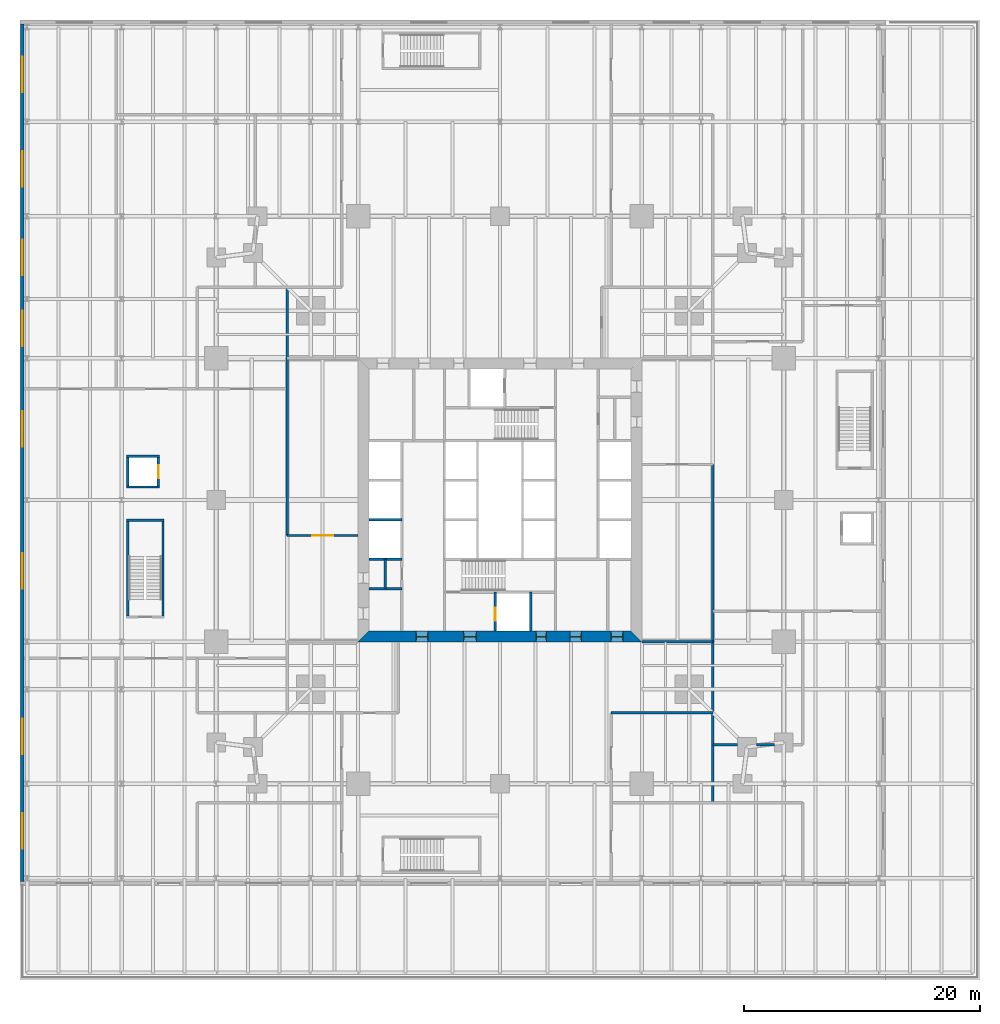
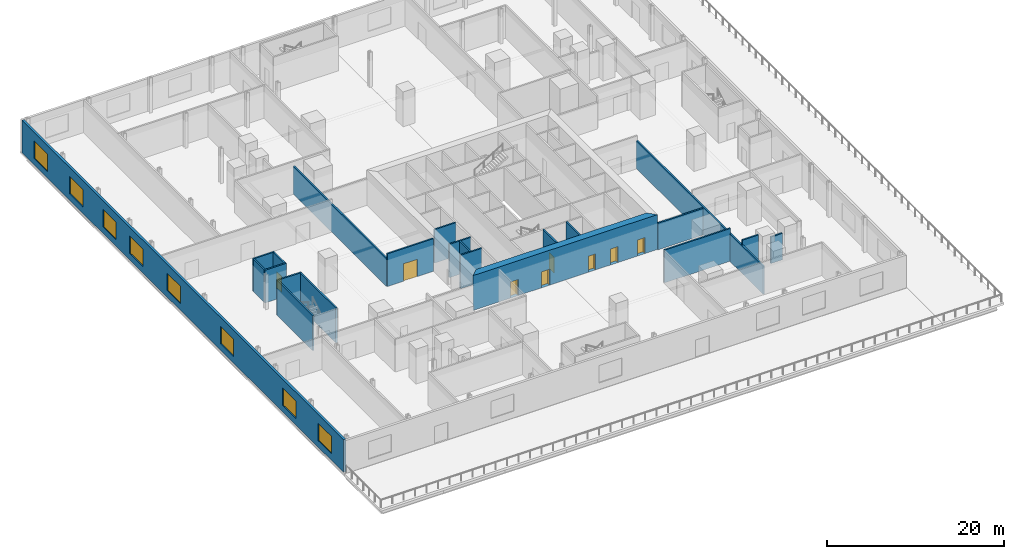
# One storey, part 11 of 18: 22 walls, 8 doors, 8 windows, 16 openings.
"""IFC4 building model written with IfcOpenShell, lengths in metres."""

from ifc_helpers import new_model, si_unit, direction, frame, frame_2d, origin, place, context, subcontext, project, spatial, polyline, rectangle, outline, extrude, material, layer, layer_set, type_object, element, fill, save


model = new_model("IFC4")

# Units and contexts
model_context = context("Model", 3, precision=1e-05, world=origin(), true_north=direction((0.0, 1.0)))
body_context = subcontext(model_context, "Body", "Model", "MODEL_VIEW")
ifc_project = project(units=[si_unit("LENGTHUNIT", "METRE"), si_unit("AREAUNIT", "SQUARE_METRE"), si_unit("VOLUMEUNIT", "CUBIC_METRE"), si_unit("PLANEANGLEUNIT", "RADIAN"), si_unit("MASSUNIT", "GRAM", prefix="KILO")], contexts=[model_context])

# Site, building, storey
site_placement = place(None, origin())
site = spatial("IfcSite", under=ifc_project, at=site_placement, CompositionType="ELEMENT")
building_placement = place(site_placement, origin())
building = spatial("IfcBuilding", under=site, at=building_placement, Name="Fenwick Lantern Interchange", CompositionType="ELEMENT")
storey_placement = place(building_placement, frame((0.0, 0.0, 11.800048828125)))
storey = spatial("IfcBuildingStorey", under=building, at=storey_placement, Name="L02", CompositionType="ELEMENT", Elevation=11.800048828125)

# Walls
ifc_material_1 = material(Name="Concrete masonry ASTM C90 Grade N", Category="masonry")
ifc_layer_1 = layer(ifc_material_1, 0.199951171875)
ifc_layer_set_1 = layer_set([ifc_layer_1], Name="Concrete masonry ASTM C90 Grade N")
wall_type_1 = type_object("IfcWallType", Name="CORE PARTITION 200", PredefinedType="PARTITIONING", material=ifc_layer_set_1)
for number, where, z_axis, x_axis, name in (
    (1, (13.89990234375, 20.0, 0.0), (0.0, 0.0, 1.0), (1.0, 0.0, 0.0), "L02/W/CORES/c2"),
    (2, (13.89990234375, 23.333251953125, 0.0), (0.0, 0.0, 1.0), (1.0, 0.0, 0.0), "L02/W/CORES/d1"),
):
    element("IfcWall", number, at=place(storey_placement, frame(where, z_axis=z_axis, x_axis=x_axis)), inside=storey, type_object=wall_type_1, Name=name, PredefinedType="PARTITIONING", context=body_context, shape_type="SweptSolid", body=[
        extrude(rectangle(XDim=2.800048828125, YDim=0.199951171875, at=frame_2d((1.39990234375, 0.0))), origin(), (0.0, 0.0, 1.0), 4.599853515625),
    ])

# Wall, opening, door
wall_1_placement = place(storey_placement, frame((24.60009765625, 13.89990234375, 0.0), z_axis=(0.0, 0.0, 1.0), x_axis=(0.0, 1.0, 0.0)))
wall_1 = element("IfcWall", 3, at=wall_1_placement, inside=storey, type_object=wall_type_1, Name="L02/W/CORES/h1", PredefinedType="PARTITIONING", context=body_context, shape_type="SweptSolid", body=[
    extrude(rectangle(XDim=3.300048828125, YDim=0.199951171875, at=frame_2d((1.64990234375, 0.0))), origin(), (0.0, 0.0, 1.0), 4.599853515625),
])
opening_1_placement = place(wall_1_placement, frame((0.89990234375, 0.0, 0.0)))
opening_1 = element("IfcOpeningElement", 4, at=opening_1_placement, cuts=wall_1, Name="Opening LD-FL1", PredefinedType="OPENING", context=body_context, shape_type="SweptSolid", body=[
    extrude(rectangle(XDim=1.10009765625, YDim=2.199951171875, at=frame_2d((0.550048828125, 1.10009765625))), frame((0.0, 0.10986328125, 0.0), z_axis=(0.0, -1.0, 0.0), x_axis=(1.0, 0.0, 0.0)), (0.0, 0.0, 1.0), 0.219970703125),
])
ifc_material_2 = material(Name="Steel door and frame", Category="steel")
door_type_1 = type_object("IfcDoorType", Name="LIFT LANDING DOOR 1100 X 2200", OperationType="DOUBLE_DOOR_SLIDING", PredefinedType="DOOR", material=ifc_material_2)
door_1_placement = place(opening_1_placement, origin())
door_1 = element("IfcDoor", 5, at=door_1_placement, inside=storey, type_object=door_type_1, Name="Lift landing door FL1", OperationType="DOUBLE_DOOR_SLIDING", OverallHeight=2.199951171875, OverallWidth=1.10009765625, PredefinedType="DOOR", context=body_context, shape_type="SweptSolid", body=[
    extrude(rectangle(XDim=1.10009765625, YDim=2.199951171875, at=frame_2d((0.550048828125, 1.10009765625))), frame((0.0, 0.02490234375, 0.0), z_axis=(0.0, -1.0, 0.0), x_axis=(1.0, 0.0, 0.0)), (0.0, 0.0, 1.0), 0.050048828125),
])
fill(opening_1, door_1)

# Walls
wall_2_placement = place(storey_placement, frame((27.60009765625, 13.89990234375, 0.0), z_axis=(0.0, 0.0, 1.0), x_axis=(0.0, 1.0, 0.0)))
element("IfcWall", 6, at=wall_2_placement, inside=storey, type_object=wall_type_1, Name="L02/W/CORES/h2", PredefinedType="PARTITIONING", context=body_context, shape_type="SweptSolid", body=[
    extrude(rectangle(XDim=3.300048828125, YDim=0.199951171875, at=frame_2d((1.64990234375, 0.0))), origin(), (0.0, 0.0, 1.0), 4.599853515625),
])
wall_3_placement = place(storey_placement, frame((13.89990234375, 17.5, 0.0), z_axis=(0.0, 0.0, 1.0), x_axis=(1.0, 0.0, 0.0)))
element("IfcWall", 7, at=wall_3_placement, inside=storey, type_object=wall_type_1, Name="L02/W/CORES/p1", PredefinedType="PARTITIONING", context=body_context, shape_type="SweptSolid", body=[
    extrude(rectangle(XDim=2.800048828125, YDim=0.199951171875, at=frame_2d((1.39990234375, 0.0))), origin(), (0.0, 0.0, 1.0), 4.599853515625),
])
wall_4_placement = place(storey_placement, frame((15.300048828125, 17.5, 0.0), z_axis=(0.0, 0.0, 1.0), x_axis=(0.0, 1.0, 0.0)))
element("IfcWall", 8, at=wall_4_placement, inside=storey, type_object=wall_type_1, Name="L02/W/CORES/px", PredefinedType="PARTITIONING", context=body_context, shape_type="SweptSolid", body=[
    extrude(rectangle(XDim=2.5, YDim=0.199951171875, at=frame_2d((1.25, 0.0))), origin(), (0.0, 0.0, 1.0), 4.599853515625),
])

# Wall, openings, doors
ifc_material_3 = material(Name="Concrete f'c 70 MPa", Category="concrete")
ifc_layer_2 = layer(ifc_material_3, 0.89990234375)
ifc_layer_set_2 = layer_set([ifc_layer_2], Name="CORE WALL 900")
wall_type_2 = type_object("IfcWallType", Name="CORE WALL 900", PredefinedType="SHEAR", material=ifc_layer_set_2)
wall_5_placement = place(storey_placement, frame((13.0, 13.449951171875, 0.0), z_axis=(0.0, 0.0, 1.0), x_axis=(1.0, 0.0, 0.0)))
wall_5 = element("IfcWall", 9, at=wall_5_placement, inside=storey, type_object=wall_type_2, Name="L02/CORE/S", PredefinedType="SHEAR", context=body_context, shape_type="SweptSolid", body=[
    extrude(outline(polyline([(0.0, -0.449951171875), (24.0, -0.449951171875), (23.10009765625, 0.449951171875), (0.89990234375, 0.449951171875), (0.0, -0.449951171875)])), origin(), (0.0, 0.0, 1.0), 4.800048828125),
])
opening_2_placement = place(wall_5_placement, frame((4.89990234375, 0.0, 0.0)))
opening_2 = element("IfcOpeningElement", 10, at=opening_2_placement, cuts=wall_5, Name="Opening L02-D006", PredefinedType="OPENING", context=body_context, shape_type="SweptSolid", body=[
    extrude(rectangle(XDim=1.0, YDim=2.199951171875, at=frame_2d((0.5, 1.10009765625))), frame((0.0, 0.4599609375, 0.0), z_axis=(0.0, -1.0, 0.0), x_axis=(1.0, 0.0, 0.0)), (0.0, 0.0, 1.0), 0.919921875),
])
opening_3_placement = place(wall_5_placement, frame((8.89990234375, 0.0, 0.0)))
opening_3 = element("IfcOpeningElement", 11, at=opening_3_placement, cuts=wall_5, Name="Opening L02-D007", PredefinedType="OPENING", context=body_context, shape_type="SweptSolid", body=[
    extrude(rectangle(XDim=1.10009765625, YDim=2.199951171875, at=frame_2d((0.550048828125, 1.10009765625))), frame((0.0, 0.4599609375, 0.0), z_axis=(0.0, -1.0, 0.0), x_axis=(1.0, 0.0, 0.0)), (0.0, 0.0, 1.0), 0.919921875),
])
opening_4_placement = place(wall_5_placement, frame((15.050048828125, 0.0, 0.0)))
opening_4 = element("IfcOpeningElement", 12, at=opening_4_placement, cuts=wall_5, Name="Opening L02-D009", PredefinedType="OPENING", context=body_context, shape_type="SweptSolid", body=[
    extrude(rectangle(XDim=0.89990234375, YDim=2.199951171875, at=frame_2d((0.449951171875, 1.10009765625))), frame((0.0, 0.4599609375, 0.0), z_axis=(0.0, -1.0, 0.0), x_axis=(1.0, 0.0, 0.0)), (0.0, 0.0, 1.0), 0.919921875),
])
opening_5_placement = place(wall_5_placement, frame((17.89990234375, 0.0, 0.0)))
opening_5 = element("IfcOpeningElement", 13, at=opening_5_placement, cuts=wall_5, Name="Opening L02-D010", PredefinedType="OPENING", context=body_context, shape_type="SweptSolid", body=[
    extrude(rectangle(XDim=1.0, YDim=2.199951171875, at=frame_2d((0.5, 1.10009765625))), frame((0.0, 0.4599609375, 0.0), z_axis=(0.0, -1.0, 0.0), x_axis=(1.0, 0.0, 0.0)), (0.0, 0.0, 1.0), 0.919921875),
])
opening_6_placement = place(wall_5_placement, frame((21.39990234375, 0.0, 0.0)))
opening_6 = element("IfcOpeningElement", 14, at=opening_6_placement, cuts=wall_5, Name="Opening L02-D011", PredefinedType="OPENING", context=body_context, shape_type="SweptSolid", body=[
    extrude(rectangle(XDim=1.0, YDim=2.199951171875, at=frame_2d((0.5, 1.10009765625))), frame((0.0, 0.4599609375, 0.0), z_axis=(0.0, -1.0, 0.0), x_axis=(1.0, 0.0, 0.0)), (0.0, 0.0, 1.0), 0.919921875),
])
door_type_2 = type_object("IfcDoorType", Name="CORE LOBBY DOOR 1000 X 2200", OperationType="SINGLE_SWING_LEFT", PredefinedType="DOOR", material=ifc_material_2)
door_2_placement = place(opening_2_placement, origin())
door_2 = element("IfcDoor", 15, at=door_2_placement, inside=storey, type_object=door_type_2, Name="Core lobby door", OperationType="SINGLE_SWING_LEFT", OverallHeight=2.199951171875, OverallWidth=1.0, PredefinedType="DOOR", context=body_context, shape_type="SweptSolid", body=[
    extrude(rectangle(XDim=1.0, YDim=2.199951171875, at=frame_2d((0.5, 1.10009765625))), frame((0.0, 0.02490234375, 0.0), z_axis=(0.0, -1.0, 0.0), x_axis=(1.0, 0.0, 0.0)), (0.0, 0.0, 1.0), 0.050048828125),
    extrude(outline(polyline([(0.0, 0.0), (0.0400390625, 0.0), (0.0400390625, 2.159912109375), (0.9599609375, 2.159912109375), (0.9599609375, 0.0), (1.0, 0.0), (1.0, 2.199951171875), (0.0, 2.199951171875), (0.0, 0.0)])), frame((0.0, 0.300048828125, 0.0), z_axis=(0.0, -1.0, 0.0), x_axis=(1.0, 0.0, 0.0)), (0.0, 0.0, 1.0), 0.60009765625),
])
fill(opening_2, door_2)
door_type_3 = type_object("IfcDoorType", Name="FIRE LOBBY DOOR 1100 X 2200", OperationType="SINGLE_SWING_LEFT", PredefinedType="DOOR", material=ifc_material_2)
door_3_placement = place(opening_3_placement, origin())
door_3 = element("IfcDoor", 16, at=door_3_placement, inside=storey, type_object=door_type_3, Name="Fire lobby door", OperationType="SINGLE_SWING_LEFT", OverallHeight=2.199951171875, OverallWidth=1.10009765625, PredefinedType="DOOR", context=body_context, shape_type="SweptSolid", body=[
    extrude(rectangle(XDim=1.10009765625, YDim=2.199951171875, at=frame_2d((0.550048828125, 1.10009765625))), frame((0.0, 0.02490234375, 0.0), z_axis=(0.0, -1.0, 0.0), x_axis=(1.0, 0.0, 0.0)), (0.0, 0.0, 1.0), 0.050048828125),
    extrude(outline(polyline([(0.0, 0.0), (0.0400390625, 0.0), (0.0400390625, 2.159912109375), (1.06005859375, 2.159912109375), (1.06005859375, 0.0), (1.10009765625, 0.0), (1.10009765625, 2.199951171875), (0.0, 2.199951171875), (0.0, 0.0)])), frame((0.0, 0.300048828125, 0.0), z_axis=(0.0, -1.0, 0.0), x_axis=(1.0, 0.0, 0.0)), (0.0, 0.0, 1.0), 0.60009765625),
])
fill(opening_3, door_3)
door_type_4 = type_object("IfcDoorType", Name="SERVICE DOOR 900 X 2200", OperationType="SINGLE_SWING_LEFT", PredefinedType="DOOR", material=ifc_material_2)
door_4_placement = place(opening_4_placement, origin())
door_4 = element("IfcDoor", 17, at=door_4_placement, inside=storey, type_object=door_type_4, Name="Service door", OperationType="SINGLE_SWING_LEFT", OverallHeight=2.199951171875, OverallWidth=0.89990234375, PredefinedType="DOOR", context=body_context, shape_type="SweptSolid", body=[
    extrude(rectangle(XDim=0.89990234375, YDim=2.199951171875, at=frame_2d((0.449951171875, 1.10009765625))), frame((0.0, 0.02490234375, 0.0), z_axis=(0.0, -1.0, 0.0), x_axis=(1.0, 0.0, 0.0)), (0.0, 0.0, 1.0), 0.050048828125),
    extrude(outline(polyline([(0.0, 0.0), (0.0400390625, 0.0), (0.0400390625, 2.159912109375), (0.85986328125, 2.159912109375), (0.85986328125, 0.0), (0.89990234375, 0.0), (0.89990234375, 2.199951171875), (0.0, 2.199951171875), (0.0, 0.0)])), frame((0.0, 0.300048828125, 0.0), z_axis=(0.0, -1.0, 0.0), x_axis=(1.0, 0.0, 0.0)), (0.0, 0.0, 1.0), 0.60009765625),
])
fill(opening_4, door_4)
ifc_material_4 = material(Name="Hardwood door and steel frame", Category="steel")
door_type_5 = type_object("IfcDoorType", Name="WC DOOR 1000 X 2200", OperationType="SINGLE_SWING_LEFT", PredefinedType="DOOR", material=ifc_material_4)
door_5_placement = place(opening_5_placement, origin())
door_5 = element("IfcDoor", 18, at=door_5_placement, inside=storey, type_object=door_type_5, Name="Wc door", OperationType="SINGLE_SWING_LEFT", OverallHeight=2.199951171875, OverallWidth=1.0, PredefinedType="DOOR", context=body_context, shape_type="SweptSolid", body=[
    extrude(rectangle(XDim=1.0, YDim=2.199951171875, at=frame_2d((0.5, 1.10009765625))), frame((0.0, 0.02490234375, 0.0), z_axis=(0.0, -1.0, 0.0), x_axis=(1.0, 0.0, 0.0)), (0.0, 0.0, 1.0), 0.050048828125),
    extrude(outline(polyline([(0.0, 0.0), (0.0400390625, 0.0), (0.0400390625, 2.159912109375), (0.9599609375, 2.159912109375), (0.9599609375, 0.0), (1.0, 0.0), (1.0, 2.199951171875), (0.0, 2.199951171875), (0.0, 0.0)])), frame((0.0, 0.300048828125, 0.0), z_axis=(0.0, -1.0, 0.0), x_axis=(1.0, 0.0, 0.0)), (0.0, 0.0, 1.0), 0.60009765625),
])
fill(opening_5, door_5)
door_6_placement = place(opening_6_placement, origin())
door_6 = element("IfcDoor", 19, at=door_6_placement, inside=storey, type_object=door_type_5, Name="Wc door", OperationType="SINGLE_SWING_LEFT", OverallHeight=2.199951171875, OverallWidth=1.0, PredefinedType="DOOR", context=body_context, shape_type="SweptSolid", body=[
    extrude(rectangle(XDim=1.0, YDim=2.199951171875, at=frame_2d((0.5, 1.10009765625))), frame((0.0, 0.02490234375, 0.0), z_axis=(0.0, -1.0, 0.0), x_axis=(1.0, 0.0, 0.0)), (0.0, 0.0, 1.0), 0.050048828125),
    extrude(outline(polyline([(0.0, 0.0), (0.0400390625, 0.0), (0.0400390625, 2.159912109375), (0.9599609375, 2.159912109375), (0.9599609375, 0.0), (1.0, 0.0), (1.0, 2.199951171875), (0.0, 2.199951171875), (0.0, 0.0)])), frame((0.0, 0.300048828125, 0.0), z_axis=(0.0, -1.0, 0.0), x_axis=(1.0, 0.0, 0.0)), (0.0, 0.0, 1.0), 0.60009765625),
])
fill(opening_6, door_6)

# Wall
ifc_layer_3 = layer(ifc_material_1, 0.199951171875)
ifc_layer_set_3 = layer_set([ifc_layer_3], Name="Concrete masonry ASTM C90 Grade N")
wall_type_3 = type_object("IfcWallType", Name="LIFT SHAFT WALL 200", PredefinedType="PARTITIONING", material=ifc_layer_set_3)
wall_6_placement = place(storey_placement, frame((-6.60009765625, 26.10009765625, 0.0), z_axis=(0.0, 0.0, 1.0), x_axis=(1.0, 0.0, 0.0)))
element("IfcWall", 20, at=wall_6_placement, inside=storey, type_object=wall_type_3, Name="L02/W/PL1/S", PredefinedType="PARTITIONING", context=body_context, shape_type="SweptSolid", body=[
    extrude(rectangle(XDim=2.800048828125, YDim=0.199951171875, at=frame_2d((1.39990234375, 0.0))), origin(), (0.0, 0.0, 1.0), 4.5),
])

# Wall, opening, door
wall_7_placement = place(storey_placement, frame((-3.89990234375, 26.199951171875, 0.0), z_axis=(0.0, 0.0, 1.0), x_axis=(0.0, 1.0, 0.0)))
wall_7 = element("IfcWall", 21, at=wall_7_placement, inside=storey, type_object=wall_type_3, Name="L02/W/PL1/E", PredefinedType="PARTITIONING", context=body_context, shape_type="SweptSolid", body=[
    extrude(rectangle(XDim=2.400146484375, YDim=0.199951171875, at=frame_2d((1.2001953125, 0.0))), origin(), (0.0, 0.0, 1.0), 4.5),
])
opening_7_placement = place(wall_7_placement, frame((0.64990234375, 0.0, 0.0)))
opening_7 = element("IfcOpeningElement", 22, at=opening_7_placement, cuts=wall_7, Name="Opening LD-PL1", PredefinedType="OPENING", context=body_context, shape_type="SweptSolid", body=[
    extrude(rectangle(XDim=1.10009765625, YDim=2.199951171875, at=frame_2d((0.550048828125, 1.10009765625))), frame((0.0, 0.10986328125, 0.0), z_axis=(0.0, -1.0, 0.0), x_axis=(1.0, 0.0, 0.0)), (0.0, 0.0, 1.0), 0.219970703125),
])
door_7_placement = place(opening_7_placement, origin())
door_7 = element("IfcDoor", 23, at=door_7_placement, inside=storey, type_object=door_type_1, Name="Lift landing door PL1", OperationType="DOUBLE_DOOR_SLIDING", OverallHeight=2.199951171875, OverallWidth=1.10009765625, PredefinedType="DOOR", context=body_context, shape_type="SweptSolid", body=[
    extrude(rectangle(XDim=1.10009765625, YDim=2.199951171875, at=frame_2d((0.550048828125, 1.10009765625))), frame((0.0, 0.02490234375, 0.0), z_axis=(0.0, -1.0, 0.0), x_axis=(1.0, 0.0, 0.0)), (0.0, 0.0, 1.0), 0.050048828125),
])
fill(opening_7, door_7)

# Walls
wall_8_placement = place(storey_placement, frame((-3.800048828125, 28.699951171875, 0.0), z_axis=(0.0, 0.0, 1.0), x_axis=(-1.0, 0.0, 0.0)))
element("IfcWall", 24, at=wall_8_placement, inside=storey, type_object=wall_type_3, Name="L02/W/PL1/N", PredefinedType="PARTITIONING", context=body_context, shape_type="SweptSolid", body=[
    extrude(rectangle(XDim=2.800048828125, YDim=0.199951171875, at=frame_2d((1.39990234375, 0.0))), origin(), (0.0, 0.0, 1.0), 4.5),
])
wall_9_placement = place(storey_placement, frame((-6.5, 28.60009765625, 0.0), z_axis=(0.0, 0.0, 1.0), x_axis=(0.0, -1.0, 0.0)))
element("IfcWall", 25, at=wall_9_placement, inside=storey, type_object=wall_type_3, Name="L02/W/PL1/W", PredefinedType="PARTITIONING", context=body_context, shape_type="SweptSolid", body=[
    extrude(rectangle(XDim=2.400146484375, YDim=0.199951171875, at=frame_2d((1.2001953125, 0.0))), origin(), (0.0, 0.0, 1.0), 4.5),
])

# Wall, openings, windows
ifc_material_5 = material(Name="Limestone ASTM C568 Classification II", Category="masonry")
ifc_layer_4 = layer(ifc_material_5, 0.074951171875)
ifc_material_6 = material(Name="Mineral wool insulation")
ifc_layer_5 = layer(ifc_material_6, 0.125)
ifc_material_7 = material(Name="Cold-formed galvanised steel studs", Category="steel")
ifc_layer_6 = layer(ifc_material_7, 0.10009765625)
ifc_layer_set_4 = layer_set([ifc_layer_4, ifc_layer_5, ifc_layer_6], Name="Limestone ASTM C568 Classification II")
wall_type_4 = type_object("IfcWallType", Name="LIMESTONE RAINSCREEN WALL 300", PredefinedType="SOLIDWALL", material=ifc_layer_set_4)
wall_10_placement = place(storey_placement, frame((-15.39990234375, 65.25, 0.0), z_axis=(0.0, 0.0, 1.0), x_axis=(0.0, -1.0, 0.0)))
wall_10 = element("IfcWall", 26, at=wall_10_placement, inside=storey, type_object=wall_type_4, Name="L02/EW/W", PredefinedType="SOLIDWALL", context=body_context, shape_type="SweptSolid", body=[
    extrude(rectangle(XDim=72.5, YDim=0.300048828125, at=frame_2d((36.25, 0.0))), origin(), (0.0, 0.0, 1.0), 4.5),
])
opening_8_placement = place(wall_10_placement, frame((66.75, 0.0, 0.89990234375)))
opening_8 = element("IfcOpeningElement", 27, at=opening_8_placement, cuts=wall_10, Name="Opening W1", PredefinedType="OPENING", context=body_context, shape_type="SweptSolid", body=[
    extrude(rectangle(XDim=3.0, YDim=2.39990234375, at=frame_2d((1.5, 1.199951171875))), frame((0.0, 0.159912109375, 0.0), z_axis=(0.0, -1.0, 0.0), x_axis=(1.0, 0.0, 0.0)), (0.0, 0.0, 1.0), 0.320068359375),
])
opening_9_placement = place(wall_10_placement, frame((58.75, 0.0, 0.89990234375)))
opening_9 = element("IfcOpeningElement", 28, at=opening_9_placement, cuts=wall_10, Name="Opening W1", PredefinedType="OPENING", context=body_context, shape_type="SweptSolid", body=[
    extrude(rectangle(XDim=3.0, YDim=2.39990234375, at=frame_2d((1.5, 1.199951171875))), frame((0.0, 0.159912109375, 0.0), z_axis=(0.0, -1.0, 0.0), x_axis=(1.0, 0.0, 0.0)), (0.0, 0.0, 1.0), 0.320068359375),
])
opening_10_placement = place(wall_10_placement, frame((44.75, 0.0, 0.89990234375)))
opening_10 = element("IfcOpeningElement", 29, at=opening_10_placement, cuts=wall_10, Name="Opening W1", PredefinedType="OPENING", context=body_context, shape_type="SweptSolid", body=[
    extrude(rectangle(XDim=3.0, YDim=2.39990234375, at=frame_2d((1.5, 1.199951171875))), frame((0.0, 0.159912109375, 0.0), z_axis=(0.0, -1.0, 0.0), x_axis=(1.0, 0.0, 0.0)), (0.0, 0.0, 1.0), 0.320068359375),
])
opening_11_placement = place(wall_10_placement, frame((32.75, 0.0, 0.89990234375)))
opening_11 = element("IfcOpeningElement", 30, at=opening_11_placement, cuts=wall_10, Name="Opening W1", PredefinedType="OPENING", context=body_context, shape_type="SweptSolid", body=[
    extrude(rectangle(XDim=3.0, YDim=2.39990234375, at=frame_2d((1.5, 1.199951171875))), frame((0.0, 0.159912109375, 0.0), z_axis=(0.0, -1.0, 0.0), x_axis=(1.0, 0.0, 0.0)), (0.0, 0.0, 1.0), 0.320068359375),
])
opening_12_placement = place(wall_10_placement, frame((24.25, 0.0, 0.89990234375)))
opening_12 = element("IfcOpeningElement", 31, at=opening_12_placement, cuts=wall_10, Name="Opening W1", PredefinedType="OPENING", context=body_context, shape_type="SweptSolid", body=[
    extrude(rectangle(XDim=3.0, YDim=2.39990234375, at=frame_2d((1.5, 1.199951171875))), frame((0.0, 0.159912109375, 0.0), z_axis=(0.0, -1.0, 0.0), x_axis=(1.0, 0.0, 0.0)), (0.0, 0.0, 1.0), 0.320068359375),
])
opening_13_placement = place(wall_10_placement, frame((18.25, 0.0, 0.89990234375)))
opening_13 = element("IfcOpeningElement", 32, at=opening_13_placement, cuts=wall_10, Name="Opening W1", PredefinedType="OPENING", context=body_context, shape_type="SweptSolid", body=[
    extrude(rectangle(XDim=3.0, YDim=2.39990234375, at=frame_2d((1.5, 1.199951171875))), frame((0.0, 0.159912109375, 0.0), z_axis=(0.0, -1.0, 0.0), x_axis=(1.0, 0.0, 0.0)), (0.0, 0.0, 1.0), 0.320068359375),
])
opening_14_placement = place(wall_10_placement, frame((10.75, 0.0, 0.89990234375)))
opening_14 = element("IfcOpeningElement", 33, at=opening_14_placement, cuts=wall_10, Name="Opening W1", PredefinedType="OPENING", context=body_context, shape_type="SweptSolid", body=[
    extrude(rectangle(XDim=3.0, YDim=2.39990234375, at=frame_2d((1.5, 1.199951171875))), frame((0.0, 0.159912109375, 0.0), z_axis=(0.0, -1.0, 0.0), x_axis=(1.0, 0.0, 0.0)), (0.0, 0.0, 1.0), 0.320068359375),
])
opening_15_placement = place(wall_10_placement, frame((2.75, 0.0, 0.89990234375)))
opening_15 = element("IfcOpeningElement", 34, at=opening_15_placement, cuts=wall_10, Name="Opening W1", PredefinedType="OPENING", context=body_context, shape_type="SweptSolid", body=[
    extrude(rectangle(XDim=3.0, YDim=2.39990234375, at=frame_2d((1.5, 1.199951171875))), frame((0.0, 0.159912109375, 0.0), z_axis=(0.0, -1.0, 0.0), x_axis=(1.0, 0.0, 0.0)), (0.0, 0.0, 1.0), 0.320068359375),
])
ifc_material_8 = material(Name="Aluminium window, clear glass", Category="aluminium")
window_type = type_object("IfcWindowType", Name="PODIUM WINDOW 3000 X 2400", PartitioningType="SINGLE_PANEL", PredefinedType="WINDOW", material=ifc_material_8)
window_1_placement = place(opening_8_placement, origin())
window_1 = element("IfcWindow", 35, at=window_1_placement, inside=storey, type_object=window_type, Name="Podium window", OverallHeight=2.39990234375, OverallWidth=3.0, PartitioningType="SINGLE_PANEL", PredefinedType="WINDOW", context=body_context, shape_type="SweptSolid", body=[
    extrude(rectangle(XDim=3.0, YDim=2.39990234375, at=frame_2d((1.5, 1.199951171875))), frame((0.0, 0.030029296875, 0.0), z_axis=(0.0, -1.0, 0.0), x_axis=(1.0, 0.0, 0.0)), (0.0, 0.0, 1.0), 0.06005859375),
])
fill(opening_8, window_1)
window_2_placement = place(opening_9_placement, origin())
window_2 = element("IfcWindow", 36, at=window_2_placement, inside=storey, type_object=window_type, Name="Podium window", OverallHeight=2.39990234375, OverallWidth=3.0, PartitioningType="SINGLE_PANEL", PredefinedType="WINDOW", context=body_context, shape_type="SweptSolid", body=[
    extrude(rectangle(XDim=3.0, YDim=2.39990234375, at=frame_2d((1.5, 1.199951171875))), frame((0.0, 0.030029296875, 0.0), z_axis=(0.0, -1.0, 0.0), x_axis=(1.0, 0.0, 0.0)), (0.0, 0.0, 1.0), 0.06005859375),
])
fill(opening_9, window_2)
window_3_placement = place(opening_10_placement, origin())
window_3 = element("IfcWindow", 37, at=window_3_placement, inside=storey, type_object=window_type, Name="Podium window", OverallHeight=2.39990234375, OverallWidth=3.0, PartitioningType="SINGLE_PANEL", PredefinedType="WINDOW", context=body_context, shape_type="SweptSolid", body=[
    extrude(rectangle(XDim=3.0, YDim=2.39990234375, at=frame_2d((1.5, 1.199951171875))), frame((0.0, 0.030029296875, 0.0), z_axis=(0.0, -1.0, 0.0), x_axis=(1.0, 0.0, 0.0)), (0.0, 0.0, 1.0), 0.06005859375),
])
fill(opening_10, window_3)
window_4_placement = place(opening_11_placement, origin())
window_4 = element("IfcWindow", 38, at=window_4_placement, inside=storey, type_object=window_type, Name="Podium window", OverallHeight=2.39990234375, OverallWidth=3.0, PartitioningType="SINGLE_PANEL", PredefinedType="WINDOW", context=body_context, shape_type="SweptSolid", body=[
    extrude(rectangle(XDim=3.0, YDim=2.39990234375, at=frame_2d((1.5, 1.199951171875))), frame((0.0, 0.030029296875, 0.0), z_axis=(0.0, -1.0, 0.0), x_axis=(1.0, 0.0, 0.0)), (0.0, 0.0, 1.0), 0.06005859375),
])
fill(opening_11, window_4)
window_5_placement = place(opening_12_placement, origin())
window_5 = element("IfcWindow", 39, at=window_5_placement, inside=storey, type_object=window_type, Name="Podium window", OverallHeight=2.39990234375, OverallWidth=3.0, PartitioningType="SINGLE_PANEL", PredefinedType="WINDOW", context=body_context, shape_type="SweptSolid", body=[
    extrude(rectangle(XDim=3.0, YDim=2.39990234375, at=frame_2d((1.5, 1.199951171875))), frame((0.0, 0.030029296875, 0.0), z_axis=(0.0, -1.0, 0.0), x_axis=(1.0, 0.0, 0.0)), (0.0, 0.0, 1.0), 0.06005859375),
])
fill(opening_12, window_5)
window_6_placement = place(opening_13_placement, origin())
window_6 = element("IfcWindow", 40, at=window_6_placement, inside=storey, type_object=window_type, Name="Podium window", OverallHeight=2.39990234375, OverallWidth=3.0, PartitioningType="SINGLE_PANEL", PredefinedType="WINDOW", context=body_context, shape_type="SweptSolid", body=[
    extrude(rectangle(XDim=3.0, YDim=2.39990234375, at=frame_2d((1.5, 1.199951171875))), frame((0.0, 0.030029296875, 0.0), z_axis=(0.0, -1.0, 0.0), x_axis=(1.0, 0.0, 0.0)), (0.0, 0.0, 1.0), 0.06005859375),
])
fill(opening_13, window_6)
window_7_placement = place(opening_14_placement, origin())
window_7 = element("IfcWindow", 41, at=window_7_placement, inside=storey, type_object=window_type, Name="Podium window", OverallHeight=2.39990234375, OverallWidth=3.0, PartitioningType="SINGLE_PANEL", PredefinedType="WINDOW", context=body_context, shape_type="SweptSolid", body=[
    extrude(rectangle(XDim=3.0, YDim=2.39990234375, at=frame_2d((1.5, 1.199951171875))), frame((0.0, 0.030029296875, 0.0), z_axis=(0.0, -1.0, 0.0), x_axis=(1.0, 0.0, 0.0)), (0.0, 0.0, 1.0), 0.06005859375),
])
fill(opening_14, window_7)
window_8_placement = place(opening_15_placement, origin())
window_8 = element("IfcWindow", 42, at=window_8_placement, inside=storey, type_object=window_type, Name="Podium window", OverallHeight=2.39990234375, OverallWidth=3.0, PartitioningType="SINGLE_PANEL", PredefinedType="WINDOW", context=body_context, shape_type="SweptSolid", body=[
    extrude(rectangle(XDim=3.0, YDim=2.39990234375, at=frame_2d((1.5, 1.199951171875))), frame((0.0, 0.030029296875, 0.0), z_axis=(0.0, -1.0, 0.0), x_axis=(1.0, 0.0, 0.0)), (0.0, 0.0, 1.0), 0.06005859375),
])
fill(opening_15, window_8)

# Walls
ifc_material_9 = material(Name="Gypsum board on steel studs, 1 hour", Category="steel")
ifc_layer_7 = layer(ifc_material_9, 0.199951171875)
ifc_layer_set_5 = layer_set([ifc_layer_7], Name="ROOM WALL 200")
wall_type_5 = type_object("IfcWallType", Name="ROOM WALL 200", PredefinedType="PARTITIONING", material=ifc_layer_set_5)
wall_11_placement = place(storey_placement, frame((7.0, 22.0, 0.0), z_axis=(0.0, 0.0, 1.0), x_axis=(0.0, 1.0, 0.0)))
element("IfcWall", 43, at=wall_11_placement, inside=storey, type_object=wall_type_5, Name="L02/W/POD/X7-2", PredefinedType="PARTITIONING", context=body_context, shape_type="SweptSolid", body=[
    extrude(rectangle(XDim=21.0, YDim=0.199951171875, at=frame_2d((10.5, 0.0))), origin(), (0.0, 0.0, 1.0), 3.843017578125),
])
wall_12_placement = place(storey_placement, frame((43.0, -0.60009765625, 0.0), z_axis=(0.0, 0.0, 1.0), x_axis=(0.0, 1.0, 0.0)))
element("IfcWall", 44, at=wall_12_placement, inside=storey, type_object=wall_type_5, Name="L02/W/POD/X43-1", PredefinedType="PARTITIONING", context=body_context, shape_type="SweptSolid", body=[
    extrude(rectangle(XDim=28.60009765625, YDim=0.199951171875, at=frame_2d((14.300048828125, 0.0))), origin(), (0.0, 0.0, 1.0), 3.843017578125),
])
wall_13_placement = place(storey_placement, frame((43.0, 4.300048828125, 0.0), z_axis=(0.0, 0.0, 1.0), x_axis=(1.0, 0.0, 0.0)))
element("IfcWall", 45, at=wall_13_placement, inside=storey, type_object=wall_type_5, Name="L02/W/POD/Y4.3-1", PredefinedType="PARTITIONING", context=body_context, shape_type="SweptSolid", body=[
    extrude(rectangle(XDim=2.10009765625, YDim=0.199951171875, at=frame_2d((1.050048828125, 0.0))), origin(), (0.0, 0.0, 1.0), 4.5),
])
wall_14_placement = place(storey_placement, frame((46.699951171875, 4.300048828125, 0.0), z_axis=(0.0, 0.0, 1.0), x_axis=(1.0, 0.0, 0.0)))
element("IfcWall", 46, at=wall_14_placement, inside=storey, type_object=wall_type_5, Name="L02/W/POD/Y4.3-2", PredefinedType="PARTITIONING", context=body_context, shape_type="SweptSolid", body=[
    extrude(rectangle(XDim=1.5, YDim=0.199951171875, at=frame_2d((0.75, 0.0))), origin(), (0.0, 0.0, 1.0), 3.64990234375),
])
wall_15_placement = place(storey_placement, frame((34.39990234375, 7.0, 0.0), z_axis=(0.0, 0.0, 1.0), x_axis=(1.0, 0.0, 0.0)))
element("IfcWall", 47, at=wall_15_placement, inside=storey, type_object=wall_type_5, Name="L02/W/POD/Y7-2", PredefinedType="PARTITIONING", context=body_context, shape_type="SweptSolid", body=[
    extrude(rectangle(XDim=8.60009765625, YDim=0.199951171875, at=frame_2d((4.300048828125, 0.0))), origin(), (0.0, 0.0, 1.0), 4.5),
])
wall_16_placement = place(storey_placement, frame((37.0, 13.0, 0.0), z_axis=(0.0, 0.0, 1.0), x_axis=(1.0, 0.0, 0.0)))
element("IfcWall", 48, at=wall_16_placement, inside=storey, type_object=wall_type_5, Name="L02/W/POD/Y13-2", PredefinedType="PARTITIONING", context=body_context, shape_type="SweptSolid", body=[
    extrude(rectangle(XDim=6.0, YDim=0.199951171875, at=frame_2d((3.0, 0.0))), origin(), (0.0, 0.0, 1.0), 3.652587890625),
])

# Wall, opening, door
wall_17_placement = place(storey_placement, frame((7.0, 22.0, 0.0), z_axis=(0.0, 0.0, 1.0), x_axis=(1.0, 0.0, 0.0)))
wall_17 = element("IfcWall", 49, at=wall_17_placement, inside=storey, type_object=wall_type_5, Name="L02/W/POD/Y22-1", PredefinedType="PARTITIONING", context=body_context, shape_type="SweptSolid", body=[
    extrude(rectangle(XDim=6.0, YDim=0.199951171875, at=frame_2d((3.0, 0.0))), origin(), (0.0, 0.0, 1.0), 4.5),
])
opening_16_placement = place(wall_17_placement, frame((2.099853515625, 0.0, 0.0)))
opening_16 = element("IfcOpeningElement", 50, at=opening_16_placement, cuts=wall_17, Name="Opening L02-D046", PredefinedType="OPENING", context=body_context, shape_type="SweptSolid", body=[
    extrude(rectangle(XDim=1.800048828125, YDim=2.39990234375, at=frame_2d((0.89990234375, 1.199951171875))), frame((0.0, 0.10986328125, 0.0), z_axis=(0.0, -1.0, 0.0), x_axis=(1.0, 0.0, 0.0)), (0.0, 0.0, 1.0), 0.219970703125),
])
door_type_6 = type_object("IfcDoorType", Name="ROOM DOOR PAIR 1800 X 2400", OperationType="DOUBLE_DOOR_SINGLE_SWING", PredefinedType="DOOR", material=ifc_material_2)
door_8_placement = place(opening_16_placement, frame((1.800048828125, 0.0, 0.0), z_axis=(0.0, 0.0, 1.0), x_axis=(-1.0, 0.0, 0.0)))
door_8 = element("IfcDoor", 51, at=door_8_placement, inside=storey, type_object=door_type_6, Name="Room door pair", OperationType="DOUBLE_DOOR_SINGLE_SWING", OverallHeight=2.39990234375, OverallWidth=1.800048828125, PredefinedType="DOOR", context=body_context, shape_type="SweptSolid", body=[
    extrude(rectangle(XDim=1.800048828125, YDim=2.39990234375, at=frame_2d((0.89990234375, 1.199951171875))), frame((0.0, 0.02490234375, 0.0), z_axis=(0.0, -1.0, 0.0), x_axis=(1.0, 0.0, 0.0)), (0.0, 0.0, 1.0), 0.050048828125),
])
fill(opening_16, door_8)

# Walls
ifc_material_10 = material(Name="Reinforced concrete masonry ASTM C90 Grade N", Category="masonry")
ifc_layer_8 = layer(ifc_material_10, 0.199951171875)
ifc_layer_set_6 = layer_set([ifc_layer_8], Name="Reinforced concrete masonry ASTM C90 Grade N")
wall_type_6 = type_object("IfcWallType", Name="STAIR ENCLOSURE 200", PredefinedType="SOLIDWALL", material=ifc_layer_set_6)
wall_18_placement = place(storey_placement, frame((-3.5, 15.199951171875, 0.0), z_axis=(0.0, 0.0, 1.0), x_axis=(0.0, 1.0, 0.0)))
element("IfcWall", 52, at=wall_18_placement, inside=storey, type_object=wall_type_6, Name="L02/W/PS3/E", PredefinedType="SOLIDWALL", context=body_context, shape_type="SweptSolid", body=[
    extrude(rectangle(XDim=8.0, YDim=0.199951171875, at=frame_2d((4.0, 0.0))), origin(), (0.0, 0.0, 1.0), 4.800048828125),
])
wall_19_placement = place(storey_placement, frame((-3.39990234375, 23.300048828125, 0.0), z_axis=(0.0, 0.0, 1.0), x_axis=(-1.0, 0.0, 0.0)))
element("IfcWall", 53, at=wall_19_placement, inside=storey, type_object=wall_type_6, Name="L02/W/PS3/N", PredefinedType="SOLIDWALL", context=body_context, shape_type="SweptSolid", body=[
    extrude(rectangle(XDim=3.2001953125, YDim=0.199951171875, at=frame_2d((1.60009765625, 0.0))), origin(), (0.0, 0.0, 1.0), 4.800048828125),
])
wall_20_placement = place(storey_placement, frame((-6.5, 23.199951171875, 0.0), z_axis=(0.0, 0.0, 1.0), x_axis=(0.0, -1.0, 0.0)))
element("IfcWall", 54, at=wall_20_placement, inside=storey, type_object=wall_type_6, Name="L02/W/PS3/W", PredefinedType="SOLIDWALL", context=body_context, shape_type="SweptSolid", body=[
    extrude(rectangle(XDim=8.0, YDim=0.199951171875, at=frame_2d((4.0, 0.0))), origin(), (0.0, 0.0, 1.0), 4.800048828125),
])

save(model, "model.ifc")
